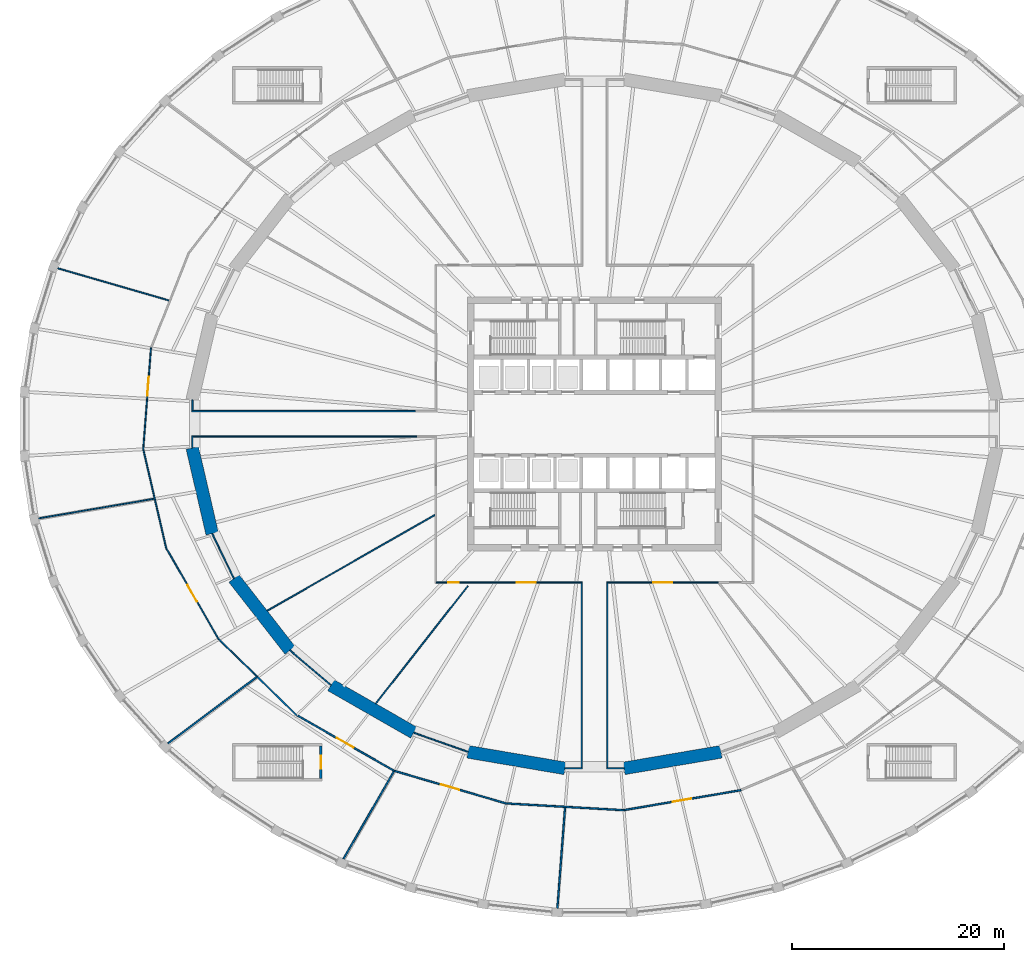
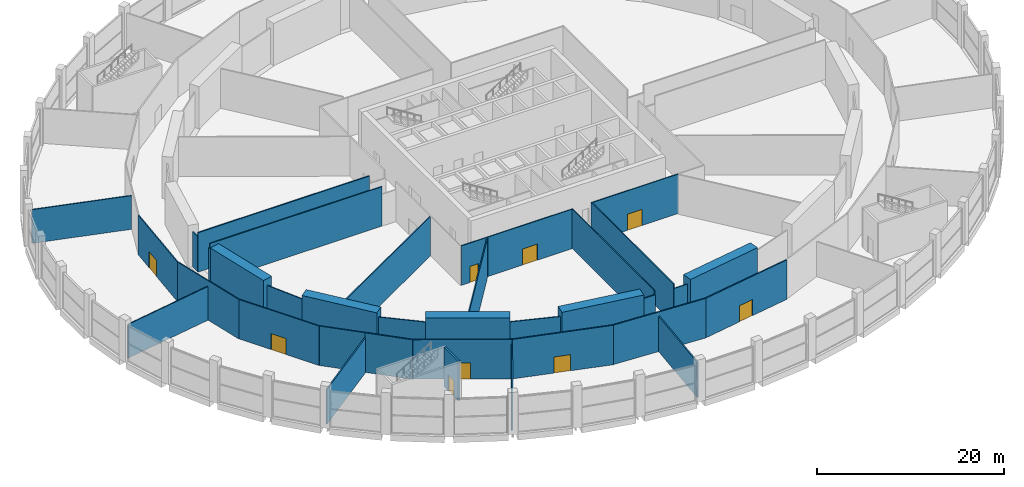
# One storey, part 21 of 29: 36 walls, 9 doors, 9 openings.
"""IFC4 building model written with IfcOpenShell, lengths in metres."""

from ifc_helpers import new_model, si_unit, direction, frame, frame_2d, origin, place, context, subcontext, project, spatial, polyline, rectangle, outline, extrude, material, layer, layer_set, type_object, element, fill, save


model = new_model("IFC4")

# Units and contexts
model_context = context("Model", 3, precision=1e-05, world=origin(), true_north=direction((0.0, 1.0)))
body_context = subcontext(model_context, "Body", "Model", "MODEL_VIEW")
ifc_project = project(units=[si_unit("LENGTHUNIT", "METRE"), si_unit("AREAUNIT", "SQUARE_METRE"), si_unit("VOLUMEUNIT", "CUBIC_METRE"), si_unit("PLANEANGLEUNIT", "RADIAN"), si_unit("MASSUNIT", "GRAM", prefix="KILO")], contexts=[model_context])

# Site, building, storey
site_placement = place(None, origin())
site = spatial("IfcSite", under=ifc_project, at=site_placement, CompositionType="ELEMENT")
building_placement = place(site_placement, origin())
building = spatial("IfcBuilding", under=site, at=building_placement, Name="Halqa Exchange Tower", CompositionType="ELEMENT")
storey_placement = place(building_placement, frame((0.0, 0.0, 7.0)))
storey = spatial("IfcBuildingStorey", under=building, at=storey_placement, Name="L01", CompositionType="ELEMENT", Elevation=7.0)

# Walls
ifc_material_1 = material(Name="Fire-rated gypsum board")
ifc_layer_1 = layer(ifc_material_1, 0.14990234375)
ifc_layer_set_1 = layer_set([ifc_layer_1], Name="Fire-rated gypsum board")
wall_type_1 = type_object("IfcWallType", Name="Fire partition EI 60 150", PredefinedType="PARTITIONING", material=ifc_layer_set_1)
wall_1_placement = place(storey_placement, frame((-40.33740234375, -30.2255859375, 0.0), z_axis=(0.0, 0.0, 1.0), x_axis=(0.800114543622, 0.599847244792, 0.0)))
element("IfcWall", 1, at=wall_1_placement, inside=storey, type_object=wall_type_1, Name="L01-PWL-006", PredefinedType="PARTITIONING", context=body_context, shape_type="SweptSolid", body=[
    extrude(outline(polyline([(0.011474609375, -0.074951171875), (10.4853515625, -0.074951171875), (10.4853515625, 0.074951171875), (-0.011474609375, 0.074951171875), (0.011474609375, -0.074951171875)])), origin(), (0.0, 0.0, 1.0), 4.550048828125),
])
wall_2_placement = place(storey_placement, frame((-38.10498046875, 1.199951171875, 0.0), z_axis=(0.0, 0.0, 1.0), x_axis=(1.0, 0.0, 0.0)))
element("IfcWall", 2, at=wall_2_placement, inside=storey, type_object=wall_type_1, Name="L01-PWL-010", PredefinedType="PARTITIONING", context=body_context, shape_type="SweptSolid", body=[
    extrude(rectangle(XDim=21.18701171875, YDim=0.14990234375, at=frame_2d((10.593505859375, 0.0))), origin(), (0.0, 0.0, 1.0), 5.14990234375),
])
wall_3_placement = place(storey_placement, frame((-38.030029296875, 2.267578125, 0.0), z_axis=(0.0, 0.0, 1.0), x_axis=(0.0, -1.0, 0.0)))
element("IfcWall", 3, at=wall_3_placement, inside=storey, type_object=wall_type_1, Name="L01-PWL-011", PredefinedType="PARTITIONING", context=body_context, shape_type="SweptSolid", body=[
    extrude(outline(polyline([(-0.017333984375, -0.074951171875), (0.99267578125, -0.074951171875), (0.99267578125, 0.074951171875), (0.017333984375, 0.074951171875), (-0.017333984375, -0.074951171875)])), origin(), (0.0, 0.0, 1.0), 4.60009765625),
])
wall_4_placement = place(storey_placement, frame((-31.89990234375, -23.89990234375, 0.0), z_axis=(0.0, 0.0, 1.0), x_axis=(0.714809256367, -0.699319474212, 0.0)))
element("IfcWall", 4, at=wall_4_placement, inside=storey, type_object=wall_type_1, Name="L01-PWL-017", PredefinedType="PARTITIONING", context=body_context, shape_type="SweptSolid", body=[
    extrude(rectangle(XDim=5.24853515625, YDim=0.14990234375, at=frame_2d((2.624267578125, 0.0))), origin(), (0.0, 0.0, 1.0), 5.14990234375),
])

# Wall, opening, door
wall_5_placement = place(storey_placement, frame((-18.922119140625, -32.8203125, 0.0), z_axis=(0.0, 0.0, 1.0), x_axis=(-0.867956944139, 0.496639449823, 0.0)))
wall_5 = element("IfcWall", 5, at=wall_5_placement, inside=storey, type_object=wall_type_1, Name="L01-PWL-024", PredefinedType="PARTITIONING", context=body_context, shape_type="SweptSolid", body=[
    extrude(rectangle(XDim=10.609375, YDim=0.14990234375, at=frame_2d((5.3046875, 0.0))), origin(), (0.0, 0.0, 1.0), 5.14990234375),
])
opening_1_placement = place(wall_5_placement, frame((4.46630859375, 0.0, 0.0)))
opening_1 = element("IfcOpeningElement", 6, at=opening_1_placement, cuts=wall_5, Name="Opening L01-16", PredefinedType="OPENING", context=body_context, shape_type="SweptSolid", body=[
    extrude(rectangle(XDim=1.800048828125, YDim=2.10009765625, at=frame_2d((0.89990234375, 1.050048828125))), frame((0.0, 0.0869140625, 0.0), z_axis=(0.0, -1.0, 0.0), x_axis=(1.0, 0.0, 0.0)), (0.0, 0.0, 1.0), 0.173828125),
])
ifc_material_2 = material(Name="Steel fire door leaf", Category="steel")
door_type_1 = type_object("IfcDoorType", Name="Fire door FD30S double 1800 x 2100", OperationType="DOUBLE_DOOR_SINGLE_SWING", PredefinedType="DOOR", material=ifc_material_2)
door_1_placement = place(opening_1_placement, origin())
door_1 = element("IfcDoor", 7, at=door_1_placement, inside=storey, type_object=door_type_1, Name="L01-IDR-016", OperationType="DOUBLE_DOOR_SINGLE_SWING", OverallHeight=2.10009765625, OverallWidth=1.800048828125, PredefinedType="DOOR", context=body_context, shape_type="SweptSolid", body=[
    extrude(rectangle(XDim=1.800048828125, YDim=2.10009765625, at=frame_2d((0.89990234375, 1.050048828125))), frame((0.0, 0.02490234375, 0.0), z_axis=(0.0, -1.0, 0.0), x_axis=(1.0, 0.0, 0.0)), (0.0, 0.0, 1.0), 0.050048828125),
])
fill(opening_1, door_1)

# Wall
wall_6_placement = place(storey_placement, frame((-18.977294921875, -32.875, 0.0), z_axis=(0.0, 0.0, 1.0), x_axis=(-0.499235523932, -0.866466324588, 0.0)))
element("IfcWall", 8, at=wall_6_placement, inside=storey, type_object=wall_type_1, Name="L01-PWL-025", PredefinedType="PARTITIONING", context=body_context, shape_type="SweptSolid", body=[
    extrude(outline(polyline([(0.0, -0.074951171875), (9.56005859375, -0.074951171875), (9.54150390625, 0.074951171875), (0.0, 0.074951171875), (0.0, -0.074951171875)])), origin(), (0.0, 0.0, 1.0), 4.550048828125),
])

# Wall, opening, door
wall_7_placement = place(storey_placement, frame((-8.25634765625, -35.917236328125, 0.0), z_axis=(0.0, 0.0, 1.0), x_axis=(-0.960212446938, 0.279270579805, 0.0)))
wall_7 = element("IfcWall", 9, at=wall_7_placement, inside=storey, type_object=wall_type_1, Name="L01-PWL-038", PredefinedType="PARTITIONING", context=body_context, shape_type="SweptSolid", body=[
    extrude(rectangle(XDim=11.10595703125, YDim=0.14990234375, at=frame_2d((5.552978515625, 0.0))), origin(), (0.0, 0.0, 1.0), 5.14990234375),
])
opening_2_placement = place(wall_7_placement, frame((4.7119140625, 0.0, 0.0)))
opening_2 = element("IfcOpeningElement", 10, at=opening_2_placement, cuts=wall_7, Name="Opening L01-25", PredefinedType="OPENING", context=body_context, shape_type="SweptSolid", body=[
    extrude(rectangle(XDim=1.800048828125, YDim=2.10009765625, at=frame_2d((0.89990234375, 1.050048828125))), frame((0.0, 0.0869140625, 0.0), z_axis=(0.0, -1.0, 0.0), x_axis=(1.0, 0.0, 0.0)), (0.0, 0.0, 1.0), 0.173828125),
])
door_2_placement = place(opening_2_placement, origin())
door_2 = element("IfcDoor", 11, at=door_2_placement, inside=storey, type_object=door_type_1, Name="L01-IDR-025", OperationType="DOUBLE_DOOR_SINGLE_SWING", OverallHeight=2.10009765625, OverallWidth=1.800048828125, PredefinedType="DOOR", context=body_context, shape_type="SweptSolid", body=[
    extrude(rectangle(XDim=1.800048828125, YDim=2.10009765625, at=frame_2d((0.89990234375, 1.050048828125))), frame((0.0, 0.02490234375, 0.0), z_axis=(0.0, -1.0, 0.0), x_axis=(1.0, 0.0, 0.0)), (0.0, 0.0, 1.0), 0.050048828125),
])
fill(opening_2, door_2)

# Walls
wall_8_placement = place(storey_placement, frame((-8.250732421875, -35.895751953125, 0.0), z_axis=(0.0, 0.0, 1.0), x_axis=(0.998353419448, -0.057362443082, 0.0)))
element("IfcWall", 12, at=wall_8_placement, inside=storey, type_object=wall_type_1, Name="L01-PWL-039", PredefinedType="PARTITIONING", context=body_context, shape_type="SweptSolid", body=[
    extrude(rectangle(XDim=11.074462890625, YDim=0.14990234375, at=frame_2d((5.537109375, 0.0))), origin(), (0.0, 0.0, 1.0), 5.14990234375),
])
wall_9_placement = place(storey_placement, frame((-2.78564453125, -36.2841796875, 0.0), z_axis=(0.0, 0.0, 1.0), x_axis=(-0.075755724104, -0.997126406363, 0.0)))
element("IfcWall", 13, at=wall_9_placement, inside=storey, type_object=wall_type_1, Name="L01-PWL-042", PredefinedType="PARTITIONING", context=body_context, shape_type="SweptSolid", body=[
    extrude(rectangle(XDim=9.545654296875, YDim=0.14990234375, at=frame_2d((4.77294921875, 0.0))), origin(), (0.0, 0.0, 1.0), 4.60009765625),
])

# Wall, opening, door
wall_10_placement = place(storey_placement, frame((13.857177734375, -34.63330078125, 0.0), z_axis=(0.0, 0.0, 1.0), x_axis=(-0.985753337794, -0.168197375212, 0.0)))
wall_10 = element("IfcWall", 14, at=wall_10_placement, inside=storey, type_object=wall_type_1, Name="L01-PWL-057", PredefinedType="PARTITIONING", context=body_context, shape_type="SweptSolid", body=[
    extrude(rectangle(XDim=11.21142578125, YDim=0.14990234375, at=frame_2d((5.605712890625, 0.0))), origin(), (0.0, 0.0, 1.0), 5.14990234375),
])
opening_3_placement = place(wall_10_placement, frame((4.7578125, 0.0, 0.0)))
opening_3 = element("IfcOpeningElement", 15, at=opening_3_placement, cuts=wall_10, Name="Opening L01-26", PredefinedType="OPENING", context=body_context, shape_type="SweptSolid", body=[
    extrude(rectangle(XDim=1.800048828125, YDim=2.10009765625, at=frame_2d((0.89990234375, 1.050048828125))), frame((0.0, 0.0869140625, 0.0), z_axis=(0.0, -1.0, 0.0), x_axis=(1.0, 0.0, 0.0)), (0.0, 0.0, 1.0), 0.173828125),
])
door_3_placement = place(opening_3_placement, origin())
door_3 = element("IfcDoor", 16, at=door_3_placement, inside=storey, type_object=door_type_1, Name="L01-IDR-026", OperationType="DOUBLE_DOOR_SINGLE_SWING", OverallHeight=2.10009765625, OverallWidth=1.800048828125, PredefinedType="DOOR", context=body_context, shape_type="SweptSolid", body=[
    extrude(rectangle(XDim=1.800048828125, YDim=2.10009765625, at=frame_2d((0.89990234375, 1.050048828125))), frame((0.0, 0.02490234375, 0.0), z_axis=(0.0, -1.0, 0.0), x_axis=(1.0, 0.0, 0.0)), (0.0, 0.0, 1.0), 0.050048828125),
])
fill(opening_3, door_3)

ifc_material_3 = material(Name="Fire-rated glazing", Category="glass")
ifc_layer_2 = layer(ifc_material_3, 0.1201171875)
ifc_layer_set_2 = layer_set([ifc_layer_2], Name="Fire-rated glazing")
wall_type_2 = type_object("IfcWallType", Name="Glazed fire partition EI 60 120", PredefinedType="PARTITIONING", material=ifc_layer_set_2)
wall_11_placement = place(storey_placement, frame((-42.6767578125, -2.477294921875, 0.0), z_axis=(0.0, 0.0, 1.0), x_axis=(0.076462228258, 0.997072478634, 0.0)))
wall_11 = element("IfcWall", 17, at=wall_11_placement, inside=storey, type_object=wall_type_2, Name="L01-PWL-001", PredefinedType="PARTITIONING", context=body_context, shape_type="SweptSolid", body=[
    extrude(rectangle(XDim=9.72265625, YDim=0.1201171875, at=frame_2d((4.861328125, 0.0))), origin(), (0.0, 0.0, 1.0), 5.14990234375),
])
opening_4_placement = place(wall_11_placement, frame((5.16015625, 0.0, 0.0)))
opening_4 = element("IfcOpeningElement", 18, at=opening_4_placement, cuts=wall_11, Name="Opening L01-23", PredefinedType="OPENING", context=body_context, shape_type="SweptSolid", body=[
    extrude(rectangle(XDim=1.800048828125, YDim=2.10009765625, at=frame_2d((0.89990234375, 1.050048828125))), frame((0.0, 0.072021484375, 0.0), z_axis=(0.0, -1.0, 0.0), x_axis=(1.0, 0.0, 0.0)), (0.0, 0.0, 1.0), 0.14404296875),
])
door_4_placement = place(opening_4_placement, origin())
door_4 = element("IfcDoor", 19, at=door_4_placement, inside=storey, type_object=door_type_1, Name="L01-IDR-023", OperationType="DOUBLE_DOOR_SINGLE_SWING", OverallHeight=2.10009765625, OverallWidth=1.800048828125, PredefinedType="DOOR", context=body_context, shape_type="SweptSolid", body=[
    extrude(rectangle(XDim=1.800048828125, YDim=2.10009765625, at=frame_2d((0.89990234375, 1.050048828125))), frame((0.0, 0.02490234375, 0.0), z_axis=(0.0, -1.0, 0.0), x_axis=(1.0, 0.0, 0.0)), (0.0, 0.0, 1.0), 0.050048828125),
])
fill(opening_4, door_4)

# Walls
wall_12_placement = place(storey_placement, frame((-42.6494140625, -2.478515625, 0.0), z_axis=(0.0, 0.0, 1.0), x_axis=(0.226065872809, -0.974112016737, 0.0)))
element("IfcWall", 20, at=wall_12_placement, inside=storey, type_object=wall_type_2, Name="L01-PWL-002", PredefinedType="PARTITIONING", context=body_context, shape_type="SweptSolid", body=[
    extrude(rectangle(XDim=9.591064453125, YDim=0.1201171875, at=frame_2d((4.79541015625, 0.0))), origin(), (0.0, 0.0, 1.0), 5.14990234375),
])
wall_13_placement = place(storey_placement, frame((-41.64208984375, -7.08056640625, 0.0), z_axis=(0.0, 0.0, 1.0), x_axis=(-0.985913154621, -0.167258038803, 0.0)))
element("IfcWall", 21, at=wall_13_placement, inside=storey, type_object=wall_type_2, Name="L01-PWL-004", PredefinedType="PARTITIONING", context=body_context, shape_type="SweptSolid", body=[
    extrude(outline(polyline([(0.003662109375, -0.06005859375), (11.0927734375, -0.06005859375), (11.08544921875, 0.06005859375), (-0.003662109375, 0.06005859375), (0.003662109375, -0.06005859375)])), origin(), (0.0, 0.0, 1.0), 4.39697265625),
])
wall_14_placement = place(storey_placement, frame((-40.208984375, 11.656982421875, 0.0), z_axis=(0.0, 0.0, 1.0), x_axis=(-0.960434781241, 0.278504992743, 0.0)))
element("IfcWall", 22, at=wall_14_placement, inside=storey, type_object=wall_type_2, Name="L01-PWL-007", PredefinedType="PARTITIONING", context=body_context, shape_type="SweptSolid", body=[
    extrude(outline(polyline([(-0.005615234375, -0.06005859375), (10.98974609375, -0.06005859375), (11.0009765625, 0.06005859375), (0.005615234375, 0.06005859375), (-0.005615234375, -0.06005859375)])), origin(), (0.0, 0.0, 1.0), 4.39697265625),
])
wall_15_placement = place(storey_placement, frame((-38.030029296875, -1.139892578125, 0.0), z_axis=(0.0, 0.0, 1.0), x_axis=(0.0, -1.0, 0.0)))
element("IfcWall", 23, at=wall_15_placement, inside=storey, type_object=wall_type_2, Name="L01-PWL-009", PredefinedType="PARTITIONING", context=body_context, shape_type="SweptSolid", body=[
    extrude(outline(polyline([(0.0, -0.06005859375), (1.1416015625, -0.06005859375), (1.11376953125, 0.06005859375), (0.0, 0.06005859375), (0.0, -0.06005859375)])), origin(), (0.0, 0.0, 1.0), 4.60009765625),
])
wall_16_placement = place(storey_placement, frame((-36.14990234375, -10.3798828125, 0.0), z_axis=(0.0, 0.0, 1.0), x_axis=(0.436102687495, -0.899896908518, 0.0)))
element("IfcWall", 24, at=wall_16_placement, inside=storey, type_object=wall_type_2, Name="L01-PWL-012", PredefinedType="PARTITIONING", context=body_context, shape_type="SweptSolid", body=[
    extrude(outline(polyline([(-0.013671875, -0.06005859375), (4.712158203125, -0.06005859375), (4.686279296875, 0.06005859375), (0.013671875, 0.06005859375), (-0.013671875, -0.06005859375)])), origin(), (0.0, 0.0, 1.0), 4.60009765625),
])

# Wall, opening, door
wall_17_placement = place(storey_placement, frame((-35.529052734375, -20.381103515625, 0.0), z_axis=(0.0, 0.0, 1.0), x_axis=(-0.498637746392, 0.866810474021, 0.0)))
wall_17 = element("IfcWall", 25, at=wall_17_placement, inside=storey, type_object=wall_type_2, Name="L01-PWL-013", PredefinedType="PARTITIONING", context=body_context, shape_type="SweptSolid", body=[
    extrude(rectangle(XDim=9.88232421875, YDim=0.1201171875, at=frame_2d((4.941162109375, 0.0))), origin(), (0.0, 0.0, 1.0), 5.14990234375),
])
opening_5_placement = place(wall_17_placement, frame((4.12548828125, 0.0, 0.0)))
opening_5 = element("IfcOpeningElement", 26, at=opening_5_placement, cuts=wall_17, Name="Opening L01-24", PredefinedType="OPENING", context=body_context, shape_type="SweptSolid", body=[
    extrude(rectangle(XDim=1.800048828125, YDim=2.10009765625, at=frame_2d((0.89990234375, 1.050048828125))), frame((0.0, 0.072021484375, 0.0), z_axis=(0.0, -1.0, 0.0), x_axis=(1.0, 0.0, 0.0)), (0.0, 0.0, 1.0), 0.14404296875),
])
door_5_placement = place(opening_5_placement, origin())
door_5 = element("IfcDoor", 27, at=door_5_placement, inside=storey, type_object=door_type_1, Name="L01-IDR-024", OperationType="DOUBLE_DOOR_SINGLE_SWING", OverallHeight=2.10009765625, OverallWidth=1.800048828125, PredefinedType="DOOR", context=body_context, shape_type="SweptSolid", body=[
    extrude(rectangle(XDim=1.800048828125, YDim=2.10009765625, at=frame_2d((0.89990234375, 1.050048828125))), frame((0.0, 0.02490234375, 0.0), z_axis=(0.0, -1.0, 0.0), x_axis=(1.0, 0.0, 0.0)), (0.0, 0.0, 1.0), 0.050048828125),
])
fill(opening_5, door_5)

# Walls
wall_18_placement = place(storey_placement, frame((-35.509521484375, -20.369140625, 0.0), z_axis=(0.0, 0.0, 1.0), x_axis=(0.714847158957, -0.699280729987, 0.0)))
element("IfcWall", 28, at=wall_18_placement, inside=storey, type_object=wall_type_2, Name="L01-PWL-014", PredefinedType="PARTITIONING", context=body_context, shape_type="SweptSolid", body=[
    extrude(rectangle(XDim=5.05029296875, YDim=0.1201171875, at=frame_2d((2.525146484375, 0.0))), origin(), (0.0, 0.0, 1.0), 5.14990234375),
])
wall_19_placement = place(storey_placement, frame((-28.789306640625, -21.41064453125, 0.0), z_axis=(0.0, 0.0, 1.0), x_axis=(0.760084552743, -0.649824185978, 0.0)))
element("IfcWall", 29, at=wall_19_placement, inside=storey, type_object=wall_type_2, Name="L01-PWL-018", PredefinedType="PARTITIONING", context=body_context, shape_type="SweptSolid", body=[
    extrude(outline(polyline([(-0.01220703125, -0.06005859375), (5.08642578125, -0.06005859375), (5.0634765625, 0.06005859375), (0.01220703125, 0.06005859375), (-0.01220703125, -0.06005859375)])), origin(), (0.0, 0.0, 1.0), 4.60009765625),
])
wall_20_placement = place(storey_placement, frame((-20.679931640625, -26.449951171875, 0.0), z_axis=(0.0, 0.0, 1.0), x_axis=(0.616462447015, 0.787384309864, 0.0)))
element("IfcWall", 30, at=wall_20_placement, inside=storey, type_object=wall_type_2, Name="L01-PWL-022", PredefinedType="PARTITIONING", context=body_context, shape_type="SweptSolid", body=[
    extrude(outline(polyline([(0.0087890625, -0.06005859375), (14.130859375, -0.06005859375), (14.130859375, 0.06005859375), (-0.0087890625, 0.06005859375), (0.0087890625, -0.06005859375)])), origin(), (0.0, 0.0, 1.0), 5.14990234375),
])
wall_21_placement = place(storey_placement, frame((-17.0908203125, -29.19970703125, 0.0), z_axis=(0.0, 0.0, 1.0), x_axis=(0.942814385805, -0.333318217204, 0.0)))
element("IfcWall", 31, at=wall_21_placement, inside=storey, type_object=wall_type_2, Name="L01-PWL-026", PredefinedType="PARTITIONING", context=body_context, shape_type="SweptSolid", body=[
    extrude(outline(polyline([(-0.010986328125, -0.06005859375), (5.445068359375, -0.06005859375), (5.424560546875, 0.06005859375), (0.010986328125, 0.06005859375), (-0.010986328125, -0.06005859375)])), origin(), (0.0, 0.0, 1.0), 4.60009765625),
])
wall_22_placement = place(storey_placement, frame((-15.0595703125, -8.593994140625, 0.0), z_axis=(0.0, 0.0, 1.0), x_axis=(-0.868344936016, -0.495960756608, 0.0)))
element("IfcWall", 32, at=wall_22_placement, inside=storey, type_object=wall_type_2, Name="L01-PWL-028", PredefinedType="PARTITIONING", context=body_context, shape_type="SweptSolid", body=[
    extrude(outline(polyline([(-0.034423828125, -0.06005859375), (18.306640625, -0.06005859375), (18.28955078125, 0.06005859375), (0.034423828125, 0.06005859375), (-0.034423828125, -0.06005859375)])), origin(), (0.0, 0.0, 1.0), 5.14990234375),
])

# Wall, opening, door
wall_23_placement = place(storey_placement, frame((-11.639404296875, -15.0, 0.0), z_axis=(0.0, 0.0, 1.0), x_axis=(-1.0, 0.0, 0.0)))
wall_23 = element("IfcWall", 33, at=wall_23_placement, inside=storey, type_object=wall_type_2, Name="L01-PWL-036", PredefinedType="PARTITIONING", context=body_context, shape_type="SweptSolid", body=[
    extrude(rectangle(XDim=3.300537109375, YDim=0.1201171875, at=frame_2d((1.650390625, 0.0))), origin(), (0.0, 0.0, 1.0), 5.14990234375),
])
opening_6_placement = place(wall_23_placement, frame((1.21044921875, 0.0, 0.0)))
opening_6 = element("IfcOpeningElement", 34, at=opening_6_placement, cuts=wall_23, Name="Opening L01-09", PredefinedType="OPENING", context=body_context, shape_type="SweptSolid", body=[
    extrude(rectangle(XDim=1.0, YDim=2.10009765625, at=frame_2d((0.5, 1.050048828125))), frame((0.0, 0.072021484375, 0.0), z_axis=(0.0, -1.0, 0.0), x_axis=(1.0, 0.0, 0.0)), (0.0, 0.0, 1.0), 0.14404296875),
])
door_type_2 = type_object("IfcDoorType", Name="Fire door FD30S 1000 x 2100", OperationType="SINGLE_SWING_LEFT", PredefinedType="DOOR", material=ifc_material_2)
door_6_placement = place(opening_6_placement, origin())
door_6 = element("IfcDoor", 35, at=door_6_placement, inside=storey, type_object=door_type_2, Name="L01-IDR-009", OperationType="SINGLE_SWING_RIGHT", OverallHeight=2.10009765625, OverallWidth=1.0, PredefinedType="DOOR", context=body_context, shape_type="SweptSolid", body=[
    extrude(rectangle(XDim=1.0, YDim=2.10009765625, at=frame_2d((0.5, 1.050048828125))), frame((0.0, 0.02490234375, 0.0), z_axis=(0.0, -1.0, 0.0), x_axis=(1.0, 0.0, 0.0)), (0.0, 0.0, 1.0), 0.050048828125),
])
fill(opening_6, door_6)

# Walls
wall_24_placement = place(storey_placement, frame((-2.7880859375, -32.570068359375, 0.0), z_axis=(0.0, 0.0, 1.0), x_axis=(1.0, 0.0, 0.0)))
element("IfcWall", 36, at=wall_24_placement, inside=storey, type_object=wall_type_2, Name="L01-PWL-041", PredefinedType="PARTITIONING", context=body_context, shape_type="SweptSolid", body=[
    extrude(outline(polyline([(-0.01025390625, -0.06005859375), (1.648193359375, -0.06005859375), (1.648193359375, 0.06005859375), (0.01025390625, 0.06005859375), (-0.01025390625, -0.06005859375)])), origin(), (0.0, 0.0, 1.0), 4.60009765625),
])
wall_25_placement = place(storey_placement, frame((-1.199951171875, -32.510009765625, 0.0), z_axis=(0.0, 0.0, 1.0), x_axis=(0.0, 1.0, 0.0)))
element("IfcWall", 37, at=wall_25_placement, inside=storey, type_object=wall_type_2, Name="L01-PWL-043", PredefinedType="PARTITIONING", context=body_context, shape_type="SweptSolid", body=[
    extrude(rectangle(XDim=17.570068359375, YDim=0.1201171875, at=frame_2d((8.78515625, 0.0))), origin(), (0.0, 0.0, 1.0), 5.14990234375),
])

# Wall, opening, door
wall_26_placement = place(storey_placement, frame((-1.260009765625, -15.0, 0.0), z_axis=(0.0, 0.0, 1.0), x_axis=(-1.0, 0.0, 0.0)))
wall_26 = element("IfcWall", 38, at=wall_26_placement, inside=storey, type_object=wall_type_2, Name="L01-PWL-044", PredefinedType="PARTITIONING", context=body_context, shape_type="SweptSolid", body=[
    extrude(rectangle(XDim=10.3798828125, YDim=0.1201171875, at=frame_2d((5.18994140625, 0.0))), origin(), (0.0, 0.0, 1.0), 5.14990234375),
])
opening_7_placement = place(wall_26_placement, frame((4.30908203125, 0.0, 0.0)))
opening_7 = element("IfcOpeningElement", 39, at=opening_7_placement, cuts=wall_26, Name="Opening L01-10", PredefinedType="OPENING", context=body_context, shape_type="SweptSolid", body=[
    extrude(rectangle(XDim=1.800048828125, YDim=2.10009765625, at=frame_2d((0.89990234375, 1.050048828125))), frame((0.0, 0.072021484375, 0.0), z_axis=(0.0, -1.0, 0.0), x_axis=(1.0, 0.0, 0.0)), (0.0, 0.0, 1.0), 0.14404296875),
])
door_7_placement = place(opening_7_placement, origin())
door_7 = element("IfcDoor", 40, at=door_7_placement, inside=storey, type_object=door_type_1, Name="L01-IDR-010", OperationType="DOUBLE_DOOR_SINGLE_SWING", OverallHeight=2.10009765625, OverallWidth=1.800048828125, PredefinedType="DOOR", context=body_context, shape_type="SweptSolid", body=[
    extrude(rectangle(XDim=1.800048828125, YDim=2.10009765625, at=frame_2d((0.89990234375, 1.050048828125))), frame((0.0, 0.02490234375, 0.0), z_axis=(0.0, -1.0, 0.0), x_axis=(1.0, 0.0, 0.0)), (0.0, 0.0, 1.0), 0.050048828125),
])
fill(opening_7, door_7)

# Walls
wall_27_placement = place(storey_placement, frame((1.139892578125, -32.570068359375, 0.0), z_axis=(0.0, 0.0, 1.0), x_axis=(1.0, 0.0, 0.0)))
element("IfcWall", 41, at=wall_27_placement, inside=storey, type_object=wall_type_2, Name="L01-PWL-047", PredefinedType="PARTITIONING", context=body_context, shape_type="SweptSolid", body=[
    extrude(outline(polyline([(0.0, -0.06005859375), (1.658447265625, -0.06005859375), (1.637939453125, 0.06005859375), (0.0, 0.06005859375), (0.0, -0.06005859375)])), origin(), (0.0, 0.0, 1.0), 4.60009765625),
])
wall_28_placement = place(storey_placement, frame((1.199951171875, -14.93994140625, 0.0), z_axis=(0.0, 0.0, 1.0), x_axis=(0.0, -1.0, 0.0)))
element("IfcWall", 42, at=wall_28_placement, inside=storey, type_object=wall_type_2, Name="L01-PWL-048", PredefinedType="PARTITIONING", context=body_context, shape_type="SweptSolid", body=[
    extrude(rectangle(XDim=17.570068359375, YDim=0.1201171875, at=frame_2d((8.78515625, 0.0))), origin(), (0.0, 0.0, 1.0), 5.14990234375),
])

# Wall, opening, door
wall_29_placement = place(storey_placement, frame((11.8251953125, -15.0, 0.0), z_axis=(0.0, 0.0, 1.0), x_axis=(-1.0, 0.0, 0.0)))
wall_29 = element("IfcWall", 43, at=wall_29_placement, inside=storey, type_object=wall_type_2, Name="L01-PWL-054", PredefinedType="PARTITIONING", context=body_context, shape_type="SweptSolid", body=[
    extrude(rectangle(XDim=10.565185546875, YDim=0.1201171875, at=frame_2d((5.28271484375, 0.0))), origin(), (0.0, 0.0, 1.0), 5.14990234375),
])
opening_8_placement = place(wall_29_placement, frame((4.456298828125, 0.0, 0.0)))
opening_8 = element("IfcOpeningElement", 44, at=opening_8_placement, cuts=wall_29, Name="Opening L01-11", PredefinedType="OPENING", context=body_context, shape_type="SweptSolid", body=[
    extrude(rectangle(XDim=1.800048828125, YDim=2.10009765625, at=frame_2d((0.89990234375, 1.050048828125))), frame((0.0, 0.072021484375, 0.0), z_axis=(0.0, -1.0, 0.0), x_axis=(1.0, 0.0, 0.0)), (0.0, 0.0, 1.0), 0.14404296875),
])
door_8_placement = place(opening_8_placement, origin())
door_8 = element("IfcDoor", 45, at=door_8_placement, inside=storey, type_object=door_type_1, Name="L01-IDR-011", OperationType="DOUBLE_DOOR_SINGLE_SWING", OverallHeight=2.10009765625, OverallWidth=1.800048828125, PredefinedType="DOOR", context=body_context, shape_type="SweptSolid", body=[
    extrude(rectangle(XDim=1.800048828125, YDim=2.10009765625, at=frame_2d((0.89990234375, 1.050048828125))), frame((0.0, 0.02490234375, 0.0), z_axis=(0.0, -1.0, 0.0), x_axis=(1.0, 0.0, 0.0)), (0.0, 0.0, 1.0), 0.050048828125),
])
fill(opening_8, door_8)

# Walls
wall_30_placement = place(storey_placement, frame((-16.740234375, -1.199951171875, 0.0), z_axis=(0.0, 0.0, 1.0), x_axis=(-1.0, 0.0, 0.0)))
element("IfcWall", 46, at=wall_30_placement, inside=storey, type_object=wall_type_2, Name="L01-PWL-089", PredefinedType="PARTITIONING", context=body_context, shape_type="SweptSolid", body=[
    extrude(rectangle(XDim=21.229736328125, YDim=0.1201171875, at=frame_2d((10.61474609375, 0.0))), origin(), (0.0, 0.0, 1.0), 5.14990234375),
])
ifc_material_4 = material(Name="Concrete C80/95", Category="concrete")
ifc_layer_3 = layer(ifc_material_4, 1.199951171875)
ifc_layer_set_3 = layer_set([ifc_layer_3], Name="Concrete C80/95")
wall_type_3 = type_object("IfcWallType", Name="RC ring pier 1200 C80/95", PredefinedType="SHEAR", material=ifc_layer_set_3)
wall_31_placement = place(storey_placement, frame((-38.03173828125, -2.26708984375, 0.0), z_axis=(0.0, 0.0, 1.0), x_axis=(0.226058185805, -0.974113800657, 0.0)))
element("IfcWall", 47, at=wall_31_placement, inside=storey, type_object=wall_type_3, Name="Ring pier 9", PredefinedType="SHEAR", context=body_context, shape_type="SweptSolid", body=[
    extrude(rectangle(XDim=8.328857421875, YDim=1.199951171875, at=frame_2d((4.16455078125, 0.0))), origin(), (0.0, 0.0, 1.0), 5.5),
])
wall_32_placement = place(storey_placement, frame((-34.09716796875, -14.60498046875, 0.0), z_axis=(0.0, 0.0, 1.0), x_axis=(0.614825322247, -0.788663314174, 0.0)))
element("IfcWall", 48, at=wall_32_placement, inside=storey, type_object=wall_type_3, Name="Ring pier 10", PredefinedType="SHEAR", context=body_context, shape_type="SweptSolid", body=[
    extrude(rectangle(XDim=8.631591796875, YDim=1.199951171875, at=frame_2d((4.31591796875, 0.0))), origin(), (0.0, 0.0, 1.0), 5.5),
])
wall_33_placement = place(storey_placement, frame((-24.931396484375, -24.705810546875, 0.0), z_axis=(0.0, 0.0, 1.0), x_axis=(0.867760656864, -0.496982336103, 0.0)))
element("IfcWall", 49, at=wall_33_placement, inside=storey, type_object=wall_type_3, Name="Ring pier 11", PredefinedType="SHEAR", context=body_context, shape_type="SweptSolid", body=[
    extrude(rectangle(XDim=9.037841796875, YDim=1.199951171875, at=frame_2d((4.51904296875, 0.0))), origin(), (0.0, 0.0, 1.0), 5.5),
])
for number, where, z_axis, x_axis, name in (
    (50, (-11.96728515625, -31.00927734375, 0.0), (0.0, 0.0, 1.0), (0.985776286846, -0.168062822456, 0.0), "Ring pier 12"),
    (51, (2.7880859375, -32.57421875, 0.0), (0.0, 0.0, 1.0), (0.985776286846, 0.168062822456, 0.0), "Ring pier 13"),
):
    element("IfcWall", number, at=place(storey_placement, frame(where, z_axis=z_axis, x_axis=x_axis)), inside=storey, type_object=wall_type_3, Name=name, PredefinedType="SHEAR", context=body_context, shape_type="SweptSolid", body=[
        extrude(rectangle(XDim=9.3115234375, YDim=1.199951171875, at=frame_2d((4.65576171875, 0.0))), origin(), (0.0, 0.0, 1.0), 5.5),
    ])

# Wall, opening, door
ifc_material_5 = material(Name="Concrete C30/37", Category="concrete")
ifc_layer_4 = layer(ifc_material_5, 0.25)
ifc_layer_set_4 = layer_set([ifc_layer_4], Name="Concrete C30/37")
wall_type_4 = type_object("IfcWallType", Name="RC stair wall 250 C30/37", PredefinedType="SHEAR", material=ifc_layer_set_4)
wall_34_placement = place(storey_placement, frame((-25.875, -33.52490234375, 0.0), z_axis=(0.0, 0.0, 1.0), x_axis=(0.0, 1.0, 0.0)))
wall_34 = element("IfcWall", 52, at=wall_34_placement, inside=storey, type_object=wall_type_4, Name="Stair PS4 wall east", PredefinedType="SHEAR", context=body_context, shape_type="SweptSolid", body=[
    extrude(rectangle(XDim=3.0498046875, YDim=0.25, at=frame_2d((1.52490234375, 0.0))), origin(), (0.0, 0.0, 1.0), 5.14990234375),
])
opening_9_placement = place(wall_34_placement, frame((0.925048828125, 0.0, 0.0)))
opening_9 = element("IfcOpeningElement", 53, at=opening_9_placement, cuts=wall_34, Name="Opening L01-C18", PredefinedType="OPENING", context=body_context, shape_type="SweptSolid", body=[
    extrude(rectangle(XDim=1.199951171875, YDim=2.10009765625, at=frame_2d((0.60009765625, 1.050048828125))), frame((0.0, 0.136962890625, 0.0), z_axis=(0.0, -1.0, 0.0), x_axis=(1.0, 0.0, 0.0)), (0.0, 0.0, 1.0), 0.27392578125),
])
door_type_3 = type_object("IfcDoorType", Name="Stair door FD90 1200 x 2100", OperationType="SINGLE_SWING_LEFT", PredefinedType="DOOR", material=ifc_material_2)
door_9_placement = place(opening_9_placement, origin())
door_9 = element("IfcDoor", 54, at=door_9_placement, inside=storey, type_object=door_type_3, Name="Stair door PS4", OperationType="SINGLE_SWING_RIGHT", OverallHeight=2.10009765625, OverallWidth=1.199951171875, PredefinedType="DOOR", context=body_context, shape_type="SweptSolid", body=[
    extrude(rectangle(XDim=1.199951171875, YDim=2.10009765625, at=frame_2d((0.60009765625, 1.050048828125))), frame((0.0, 0.02490234375, 0.0), z_axis=(0.0, -1.0, 0.0), x_axis=(1.0, 0.0, 0.0)), (0.0, 0.0, 1.0), 0.050048828125),
])
fill(opening_9, door_9)

save(model, "model.ifc")
